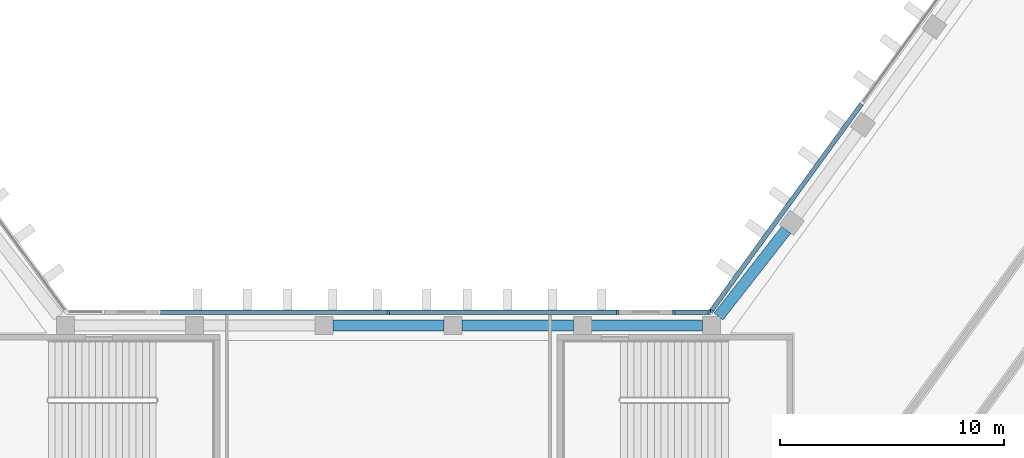
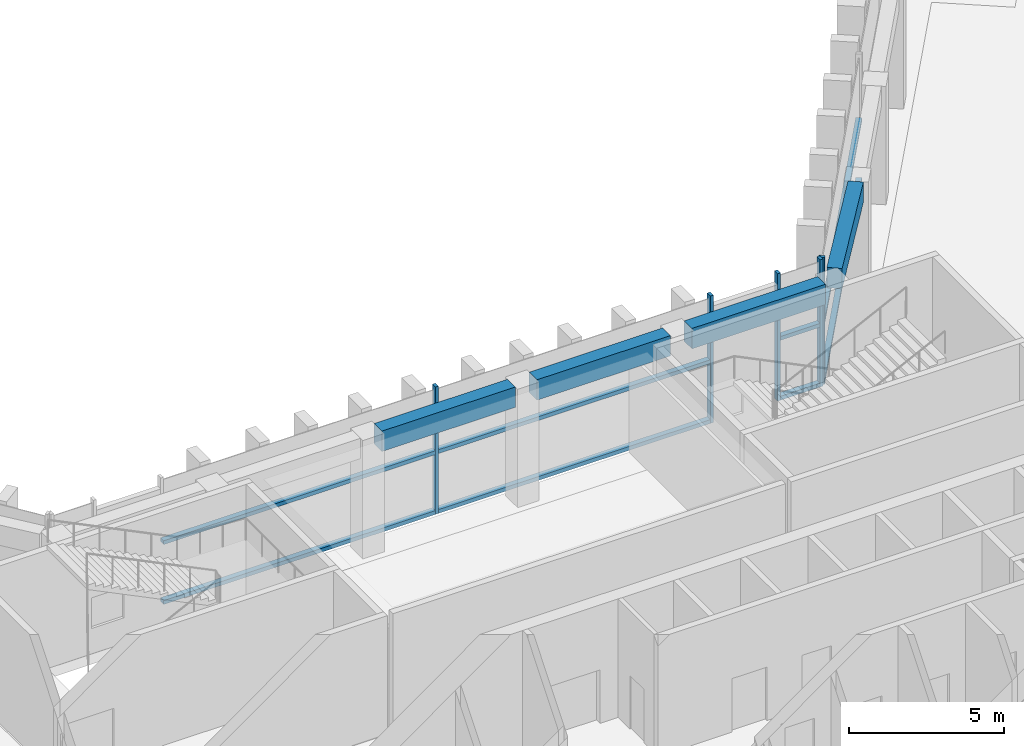
# One storey, part 3 of 14: 13 members, 4 beams, 3 elements without a shape of their own.
"""IFC4 building model written with IfcOpenShell, lengths in metres."""

from ifc_helpers import new_model, si_unit, direction, frame, origin, origin_2d, place, context, subcontext, project, spatial, rectangle, extrude, material, material_profile, profile_set, type_object, element, aggregate, save


model = new_model("IFC4")

# Units and contexts
model_context = context("Model", 3, precision=1e-05, world=origin(), true_north=direction((0.0, 1.0)))
body_context = subcontext(model_context, "Body", "Model", "MODEL_VIEW")
ifc_project = project(units=[si_unit("LENGTHUNIT", "METRE"), si_unit("AREAUNIT", "SQUARE_METRE"), si_unit("VOLUMEUNIT", "CUBIC_METRE"), si_unit("PLANEANGLEUNIT", "RADIAN"), si_unit("MASSUNIT", "GRAM", prefix="KILO")], contexts=[model_context])

# Site, building, storey
site_placement = place(None, origin())
site = spatial("IfcSite", under=ifc_project, at=site_placement, CompositionType="ELEMENT")
building_placement = place(site_placement, origin())
building = spatial("IfcBuilding", under=site, at=building_placement, Name="Quipu Civic Tower", CompositionType="ELEMENT")
storey_placement = place(building_placement, frame((0.0, 0.0, 139.0)))
storey = spatial("IfcBuildingStorey", under=building, at=storey_placement, Name="L32", CompositionType="ELEMENT", Elevation=139.0)

# Curtain wall, member
ifc_material_1 = material(Name="Insulated glass unit", Category="glass")
curtain_wall_type = type_object("IfcCurtainWallType", Name="Sky lobby and refuge curtain wall CW5", PredefinedType="NOTDEFINED", material=ifc_material_1)
curtain_wall_1_placement = place(storey_placement, origin())
curtain_wall_1 = element("IfcCurtainWall", 1, at=curtain_wall_1_placement, inside=storey, type_object=curtain_wall_type, Name="Sky lobby and refuge curtain wall CW5 L32 run 33", PredefinedType="NOTDEFINED")
ifc_material_2 = material(Name="Anodised aluminium", Category="aluminium")
ifc_material_profile_1 = material_profile(ifc_material_2, rectangle(XDim=0.199951171875, YDim=0.110107421875, at=origin_2d()), Name="RECT 200x110")
ifc_profile_set_1 = profile_set([ifc_material_profile_1], Name="Anodised aluminium")
member_type_1 = type_object("IfcMemberType", Name="Mullion CW5", PredefinedType="MULLION", material=ifc_profile_set_1)
member_1_placement = place(storey_placement, frame((14.37646484375, 11.14453125, 0.074951171875), z_axis=(0.0, 0.0, 1.0), x_axis=(0.809014469803, -0.587788727052, 0.0)))
member_1 = element("IfcMember", 2, at=member_1_placement, type_object=member_type_1, Name="CW5 mullion 3", PredefinedType="MULLION", context=body_context, shape_type="SweptSolid", body=[
    extrude(rectangle(XDim=0.199951171875, YDim=0.110107421875, at=origin_2d()), origin(), (0.0, 0.0, 1.0), 5.0),
])

# Curtain wall, members
curtain_wall_2_placement = place(storey_placement, origin())
curtain_wall_2 = element("IfcCurtainWall", 3, at=curtain_wall_2_placement, inside=storey, type_object=curtain_wall_type, Name="Sky lobby and refuge curtain wall CW5 L32 run 34", PredefinedType="NOTDEFINED")
member_2_placement = place(storey_placement, frame((14.289306640625, 11.10009765625, 0.074951171875), z_axis=(0.0, 0.0, 1.0), x_axis=(0.0, -1.0, 0.0)))
member_2 = element("IfcMember", 4, at=member_2_placement, type_object=member_type_1, Name="CW5 mullion 1", PredefinedType="MULLION", context=body_context, shape_type="SweptSolid", body=[
    extrude(rectangle(XDim=0.199951171875, YDim=0.110107421875, at=origin_2d()), origin(), (0.0, 0.0, 1.0), 5.0),
])
member_3_placement = place(storey_placement, frame((12.7099609375, 11.10009765625, 0.074951171875), z_axis=(0.0, 0.0, 1.0), x_axis=(0.0, -1.0, 0.0)))
member_3 = element("IfcMember", 5, at=member_3_placement, type_object=member_type_1, Name="CW5 mullion 2", PredefinedType="MULLION", context=body_context, shape_type="SweptSolid", body=[
    extrude(rectangle(XDim=0.199951171875, YDim=0.110107421875, at=origin_2d()), origin(), (0.0, 0.0, 1.0), 5.0),
])

curtain_wall_3_placement = place(storey_placement, origin())
curtain_wall_3 = element("IfcCurtainWall", 6, at=curtain_wall_3_placement, inside=storey, type_object=curtain_wall_type, Name="Sky lobby and refuge curtain wall CW5 L32 run 36", PredefinedType="NOTDEFINED")
member_4_placement = place(storey_placement, frame((10.20849609375, 11.10009765625, 0.074951171875), z_axis=(0.0, 0.0, 1.0), x_axis=(0.0, -1.0, 0.0)))
member_4 = element("IfcMember", 7, at=member_4_placement, type_object=member_type_1, Name="CW5 mullion 1", PredefinedType="MULLION", context=body_context, shape_type="SweptSolid", body=[
    extrude(rectangle(XDim=0.199951171875, YDim=0.110107421875, at=origin_2d()), origin(), (0.0, 0.0, 1.0), 5.0),
])
member_5_placement = place(storey_placement, frame((0.0, 11.10009765625, 0.074951171875), z_axis=(0.0, 0.0, 1.0), x_axis=(0.0, -1.0, 0.0)))
member_5 = element("IfcMember", 8, at=member_5_placement, type_object=member_type_1, Name="CW5 mullion 2", PredefinedType="MULLION", context=body_context, shape_type="SweptSolid", body=[
    extrude(rectangle(XDim=0.199951171875, YDim=0.110107421875, at=origin_2d()), origin(), (0.0, 0.0, 1.0), 5.0),
])

# Beams
ifc_material_3 = material(Name="Concrete C50/60", Category="concrete")
ifc_material_profile_2 = material_profile(ifc_material_3, rectangle(XDim=0.5, YDim=0.800048828125, at=origin_2d()), Name="RC500x800")
ifc_profile_set_2 = profile_set([ifc_material_profile_2], Name="Concrete C50/60")
beam_type = type_object("IfcBeamType", Name="Spandrel beam RC 500x800 C50/60", PredefinedType="SPANDREL", material=ifc_profile_set_2)
beam_placement = place(storey_placement, frame((17.72705078125, 14.759765625, 4.25), z_axis=(-0.616090612932, -0.787675286306, 0.0), x_axis=(0.787675286306, -0.616090612932, 0.0)))
element("IfcBeam", 9, at=beam_placement, inside=storey, type_object=beam_type, Name="Spandrel beam L32 E-IN-01 to J-Ei.0", PredefinedType="SPANDREL", context=body_context, shape_type="SweptSolid", body=[
    extrude(rectangle(XDim=0.5, YDim=0.800048828125, at=origin_2d()), origin(), (0.0, 0.0, 1.0), 4.900390625),
])
for number, where, z_axis, x_axis, name in (
    (10, (13.9951171875, 10.5, 4.25), (-1.0, 0.0, 0.0), (0.0, -1.0, 0.0), "Spandrel beam L32 J-Ei.0 to FRONT-01"),
    (11, (8.237060546875, 10.5, 4.25), (-1.0, 0.0, 0.0), (0.0, -1.0, 0.0), "Spandrel beam L32 FRONT-01 to FRONT-02"),
    (12, (2.47900390625, 10.5, 4.25), (-1.0, 0.0, 0.0), (0.0, -1.0, 0.0), "Spandrel beam L32 FRONT-02 to FRONT-03"),
):
    element("IfcBeam", number, at=place(storey_placement, frame(where, z_axis=z_axis, x_axis=x_axis)), inside=storey, type_object=beam_type, Name=name, PredefinedType="SPANDREL", context=body_context, shape_type="SweptSolid", body=[
        extrude(rectangle(XDim=0.5, YDim=0.800048828125, at=origin_2d()), origin(), (0.0, 0.0, 1.0), 4.9580078125),
    ])

# Member
ifc_material_4 = material(Name="Anodised aluminium", Category="aluminium")
ifc_material_profile_3 = material_profile(ifc_material_4, rectangle(XDim=0.199951171875, YDim=0.14990234375, at=origin_2d()), Name="RECT 200x150")
ifc_profile_set_3 = profile_set([ifc_material_profile_3], Name="Anodised aluminium")
member_type_2 = type_object("IfcMemberType", Name="Transom CW5", PredefinedType="USERDEFINED", material=ifc_profile_set_3)
member_6_placement = place(storey_placement, frame((21.08447265625, 20.377197265625, 0.14990234375), z_axis=(-0.587779229881, -0.809021369878, 0.0), x_axis=(0.809021369878, -0.587779229881, 0.0)))
member_6 = element("IfcMember", 13, at=member_6_placement, type_object=member_type_2, Name="CW5 transom 2.1", ObjectType="TRANSOM", PredefinedType="USERDEFINED", context=body_context, shape_type="SweptSolid", body=[
    extrude(rectangle(XDim=0.199951171875, YDim=0.14990234375, at=origin_2d()), origin(), (0.0, 0.0, 1.0), 11.357177734375),
])

member_7_placement = place(storey_placement, frame((21.08447265625, 20.377197265625, 2.5), z_axis=(-0.587779229881, -0.809021369878, 0.0), x_axis=(0.809021369878, -0.587779229881, 0.0)))
member_7 = element("IfcMember", 14, at=member_7_placement, type_object=member_type_2, Name="CW5 transom 2.2", ObjectType="TRANSOM", PredefinedType="USERDEFINED", context=body_context, shape_type="SweptSolid", body=[
    extrude(rectangle(XDim=0.199951171875, YDim=0.14990234375, at=origin_2d()), origin(), (0.0, 0.0, 1.0), 11.357177734375),
])

aggregate(curtain_wall_1, [member_1, member_6, member_7])

member_8_placement = place(storey_placement, frame((14.234130859375, 11.10009765625, 0.14990234375), z_axis=(-1.0, 0.0, 0.0), x_axis=(0.0, -1.0, 0.0)))
member_8 = element("IfcMember", 15, at=member_8_placement, type_object=member_type_2, Name="CW5 transom 1.1", ObjectType="TRANSOM", PredefinedType="USERDEFINED", context=body_context, shape_type="SweptSolid", body=[
    extrude(rectangle(XDim=0.199951171875, YDim=0.14990234375, at=origin_2d()), origin(), (0.0, 0.0, 1.0), 1.46923828125),
])

member_9_placement = place(storey_placement, frame((14.234130859375, 11.10009765625, 2.5), z_axis=(-1.0, 0.0, 0.0), x_axis=(0.0, -1.0, 0.0)))
member_9 = element("IfcMember", 16, at=member_9_placement, type_object=member_type_2, Name="CW5 transom 1.2", ObjectType="TRANSOM", PredefinedType="USERDEFINED", context=body_context, shape_type="SweptSolid", body=[
    extrude(rectangle(XDim=0.199951171875, YDim=0.14990234375, at=origin_2d()), origin(), (0.0, 0.0, 1.0), 1.46923828125),
])

aggregate(curtain_wall_2, [member_2, member_3, member_8, member_9])

member_10_placement = place(storey_placement, frame((10.153564453125, 11.10009765625, 0.14990234375), z_axis=(-1.0, 0.0, 0.0), x_axis=(0.0, -1.0, 0.0)))
member_10 = element("IfcMember", 17, at=member_10_placement, type_object=member_type_2, Name="CW5 transom 1.1", ObjectType="TRANSOM", PredefinedType="USERDEFINED", context=body_context, shape_type="SweptSolid", body=[
    extrude(rectangle(XDim=0.199951171875, YDim=0.14990234375, at=origin_2d()), origin(), (0.0, 0.0, 1.0), 10.0986328125),
])

member_11_placement = place(storey_placement, frame((10.153564453125, 11.10009765625, 2.5), z_axis=(-1.0, 0.0, 0.0), x_axis=(0.0, -1.0, 0.0)))
member_11 = element("IfcMember", 18, at=member_11_placement, type_object=member_type_2, Name="CW5 transom 1.2", ObjectType="TRANSOM", PredefinedType="USERDEFINED", context=body_context, shape_type="SweptSolid", body=[
    extrude(rectangle(XDim=0.199951171875, YDim=0.14990234375, at=origin_2d()), origin(), (0.0, 0.0, 1.0), 10.0986328125),
])

member_12_placement = place(storey_placement, frame((-0.054931640625, 11.10009765625, 0.14990234375), z_axis=(-1.0, 0.0, 0.0), x_axis=(0.0, -1.0, 0.0)))
member_12 = element("IfcMember", 19, at=member_12_placement, type_object=member_type_2, Name="CW5 transom 2.1", ObjectType="TRANSOM", PredefinedType="USERDEFINED", context=body_context, shape_type="SweptSolid", body=[
    extrude(rectangle(XDim=0.199951171875, YDim=0.14990234375, at=origin_2d()), origin(), (0.0, 0.0, 1.0), 10.0986328125),
])

member_13_placement = place(storey_placement, frame((-0.054931640625, 11.10009765625, 2.5), z_axis=(-1.0, 0.0, 0.0), x_axis=(0.0, -1.0, 0.0)))
member_13 = element("IfcMember", 20, at=member_13_placement, type_object=member_type_2, Name="CW5 transom 2.2", ObjectType="TRANSOM", PredefinedType="USERDEFINED", context=body_context, shape_type="SweptSolid", body=[
    extrude(rectangle(XDim=0.199951171875, YDim=0.14990234375, at=origin_2d()), origin(), (0.0, 0.0, 1.0), 10.0986328125),
])

aggregate(curtain_wall_3, [member_4, member_5, member_10, member_11, member_12, member_13])

save(model, "model.ifc")
